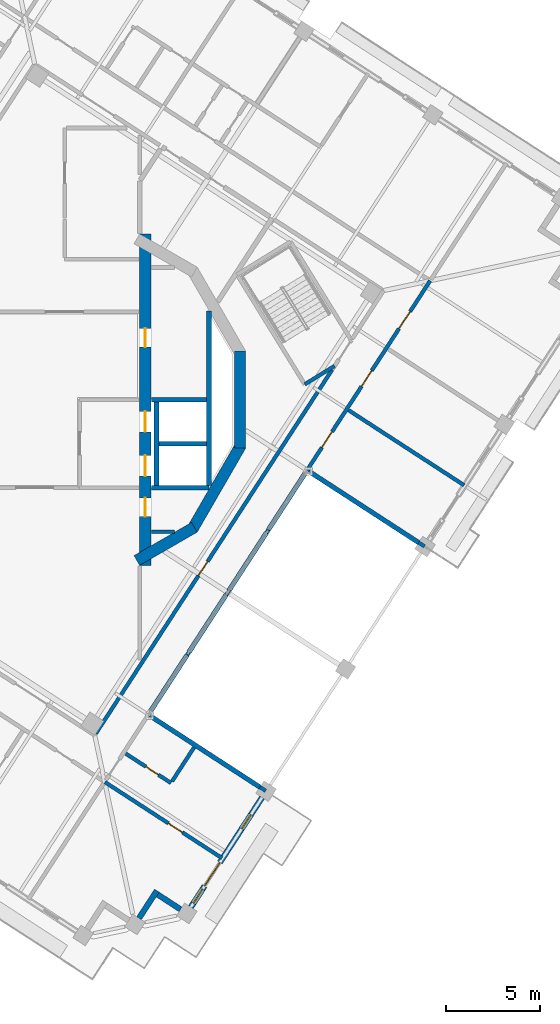
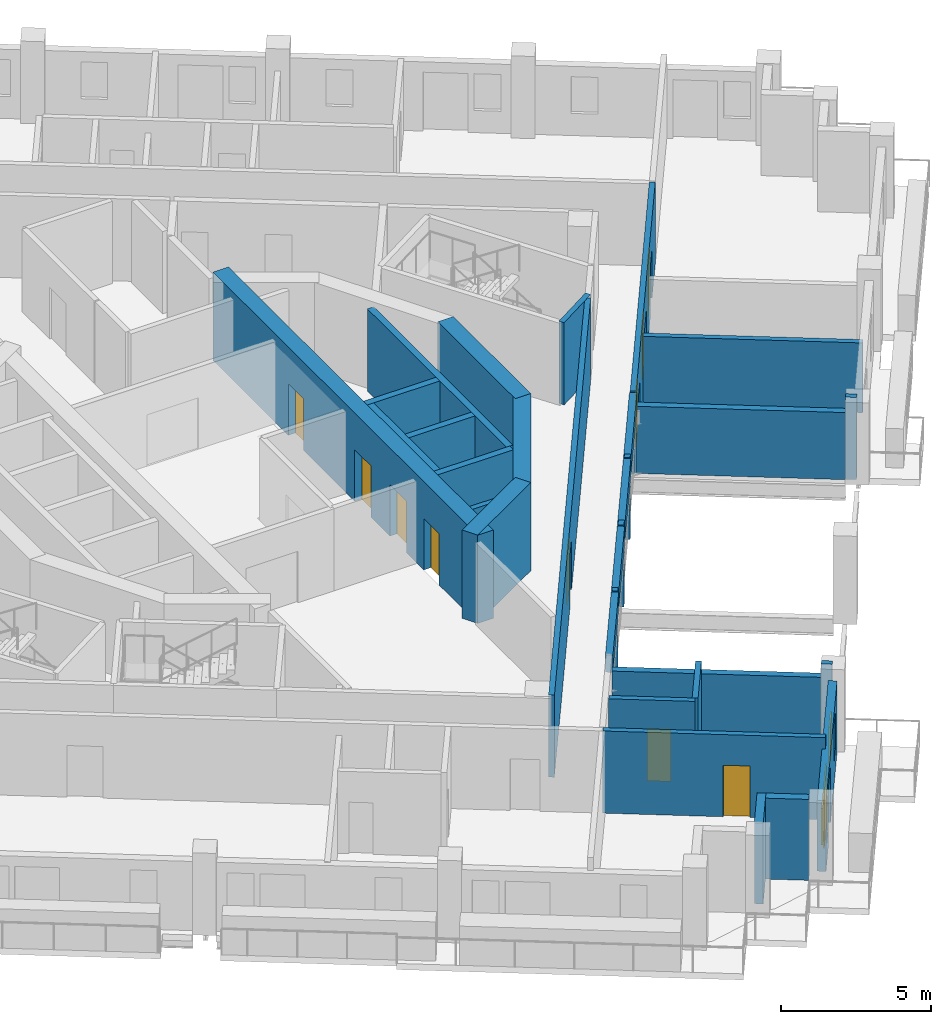
# One storey, part 7 of 17: 31 walls, 11 doors, 2 windows, 13 openings.
"""IFC4 building model written with IfcOpenShell, lengths in metres."""

from ifc_helpers import new_model, si_unit, direction, frame, frame_2d, origin, place, context, subcontext, project, spatial, rectangle, extrude, material, layer, layer_set, type_object, element, fill, save


model = new_model("IFC4")

# Units and contexts
model_context = context("Model", 3, precision=1e-05, world=origin(), true_north=direction((0.0, 1.0)))
body_context = subcontext(model_context, "Body", "Model", "MODEL_VIEW")
ifc_project = project(units=[si_unit("LENGTHUNIT", "METRE"), si_unit("AREAUNIT", "SQUARE_METRE"), si_unit("VOLUMEUNIT", "CUBIC_METRE"), si_unit("PLANEANGLEUNIT", "RADIAN"), si_unit("MASSUNIT", "GRAM", prefix="KILO")], contexts=[model_context])

# Site, building, storey
site_placement = place(None, origin())
site = spatial("IfcSite", under=ifc_project, at=site_placement, CompositionType="ELEMENT")
building_placement = place(site_placement, origin())
building = spatial("IfcBuilding", under=site, at=building_placement, Name="Cantera Rosa Tower", CompositionType="ELEMENT")
storey_placement = place(building_placement, frame((0.0, 0.0, 257.699951171875)))
storey = spatial("IfcBuildingStorey", under=building, at=storey_placement, Name="L57", CompositionType="ELEMENT", Elevation=257.699951171875)

# Wall, opening, door
ifc_material_1 = material(Name="Gypsum board partition")
ifc_layer_1 = layer(ifc_material_1, 0.199951171875)
ifc_layer_set_1 = layer_set([ifc_layer_1], Name="CORRIDOR WALL 200 H3350")
wall_type_1 = type_object("IfcWallType", Name="CORRIDOR WALL 200 H3350", PredefinedType="PARTITIONING", material=ifc_layer_set_1)
wall_1_placement = place(storey_placement, frame((1.656982421875, -17.828857421875, 0.0), z_axis=(0.0, 0.0, 1.0), x_axis=(0.544640309195, 0.838669740482, 0.0)))
wall_1 = element("IfcWall", 1, at=wall_1_placement, inside=storey, type_object=wall_type_1, Name="CORRIDOR WALL L57-057", PredefinedType="PARTITIONING", context=body_context, shape_type="SweptSolid", body=[
    extrude(rectangle(XDim=23.1552734375, YDim=0.199951171875, at=frame_2d((11.57763671875, 0.0))), origin(), (0.0, 0.0, 1.0), 3.35009765625),
])
opening_1_placement = place(wall_1_placement, frame((10.060791015625, 0.0, 0.0)))
opening_1 = element("IfcOpeningElement", 2, at=opening_1_placement, cuts=wall_1, Name="Opening L57-006", PredefinedType="OPENING", context=body_context, shape_type="SweptSolid", body=[
    extrude(rectangle(XDim=0.89990234375, YDim=2.10009765625, at=frame_2d((0.449951171875, 1.050048828125))), frame((0.0, 0.10986328125, 0.0), z_axis=(0.0, -1.0, 0.0), x_axis=(1.0, 0.0, 0.0)), (0.0, 0.0, 1.0), 0.219970703125),
])
ifc_material_2 = material(Name="Timber door leaf", Category="wood")
door_type_1 = type_object("IfcDoorType", Name="SERVICE DOOR 900x2100", OperationType="NOTDEFINED", PredefinedType="DOOR", material=ifc_material_2)
door_1_placement = place(opening_1_placement, origin())
door_1 = element("IfcDoor", 3, at=door_1_placement, inside=storey, type_object=door_type_1, Name="DOOR L57-006", OperationType="NOTDEFINED", OverallHeight=2.10009765625, OverallWidth=0.89990234375, PredefinedType="DOOR", context=body_context, shape_type="SweptSolid", body=[
    extrude(rectangle(XDim=0.89990234375, YDim=2.10009765625, at=frame_2d((0.449951171875, 1.050048828125))), frame((0.0, 0.02490234375, 0.0), z_axis=(0.0, -1.0, 0.0), x_axis=(1.0, 0.0, 0.0)), (0.0, 0.0, 1.0), 0.050048828125),
])
fill(opening_1, door_1)

# Walls
wall_2_placement = place(storey_placement, frame((6.52880859375, -13.632080078125, 0.0), z_axis=(0.0, 0.0, 1.0), x_axis=(0.544502051032, 0.838759510481, 0.0)))
element("IfcWall", 4, at=wall_2_placement, inside=storey, type_object=wall_type_1, Name="CORRIDOR WALL L57-060", PredefinedType="PARTITIONING", context=body_context, shape_type="SweptSolid", body=[
    extrude(rectangle(XDim=0.194091796875, YDim=0.199951171875, at=frame_2d((0.09716796875, 0.0))), origin(), (0.0, 0.0, 1.0), 3.35009765625),
])
wall_3_placement = place(storey_placement, frame((8.6201171875, -10.41162109375, 0.0), z_axis=(0.0, 0.0, 1.0), x_axis=(0.5446964617, 0.838633271825, 0.0)))
element("IfcWall", 5, at=wall_3_placement, inside=storey, type_object=wall_type_1, Name="CORRIDOR WALL L57-061", PredefinedType="PARTITIONING", context=body_context, shape_type="SweptSolid", body=[
    extrude(rectangle(XDim=0.2939453125, YDim=0.199951171875, at=frame_2d((0.14697265625, 0.0))), origin(), (0.0, 0.0, 1.0), 3.35009765625),
])
wall_4_placement = place(storey_placement, frame((10.76611328125, -7.107177734375, 0.0), z_axis=(0.0, 0.0, 1.0), x_axis=(0.544191105099, 0.838961287028, 0.0)))
element("IfcWall", 6, at=wall_4_placement, inside=storey, type_object=wall_type_1, Name="CORRIDOR WALL L57-062", PredefinedType="PARTITIONING", context=body_context, shape_type="SweptSolid", body=[
    extrude(rectangle(XDim=0.19384765625, YDim=0.199951171875, at=frame_2d((0.096923828125, 0.0))), origin(), (0.0, 0.0, 1.0), 3.35009765625),
])

# Wall, openings, doors
wall_5_placement = place(storey_placement, frame((12.869384765625, -3.8681640625, 0.0), z_axis=(0.0, 0.0, 1.0), x_axis=(0.544640401501, 0.838669680537, 0.0)))
wall_5 = element("IfcWall", 7, at=wall_5_placement, inside=storey, type_object=wall_type_1, Name="CORRIDOR WALL L57-063", PredefinedType="PARTITIONING", context=body_context, shape_type="SweptSolid", body=[
    extrude(rectangle(XDim=12.18505859375, YDim=0.199951171875, at=frame_2d((6.092529296875, 0.0))), origin(), (0.0, 0.0, 1.0), 3.35009765625),
])
opening_2_placement = place(wall_5_placement, frame((1.570068359375, 0.0, 0.0)))
opening_2 = element("IfcOpeningElement", 8, at=opening_2_placement, cuts=wall_5, Name="Opening L57-041", PredefinedType="OPENING", context=body_context, shape_type="SweptSolid", body=[
    extrude(rectangle(XDim=1.0, YDim=2.10009765625, at=frame_2d((0.5, 1.050048828125))), frame((0.0, 0.10986328125, 0.0), z_axis=(0.0, -1.0, 0.0), x_axis=(1.0, 0.0, 0.0)), (0.0, 0.0, 1.0), 0.219970703125),
])
opening_3_placement = place(wall_5_placement, frame((5.4599609375, 0.0, 0.0)))
opening_3 = element("IfcOpeningElement", 9, at=opening_3_placement, cuts=wall_5, Name="Opening L57-042", PredefinedType="OPENING", context=body_context, shape_type="SweptSolid", body=[
    extrude(rectangle(XDim=1.0, YDim=2.10009765625, at=frame_2d((0.5, 1.050048828125))), frame((0.0, 0.10986328125, 0.0), z_axis=(0.0, -1.0, 0.0), x_axis=(1.0, 0.0, 0.0)), (0.0, 0.0, 1.0), 0.219970703125),
])
opening_4_placement = place(wall_5_placement, frame((9.135009765625, 0.0, 0.0)))
opening_4 = element("IfcOpeningElement", 10, at=opening_4_placement, cuts=wall_5, Name="Opening L57-046", PredefinedType="OPENING", context=body_context, shape_type="SweptSolid", body=[
    extrude(rectangle(XDim=1.10009765625, YDim=2.10009765625, at=frame_2d((0.550048828125, 1.050048828125))), frame((0.0, 0.10986328125, 0.0), z_axis=(0.0, -1.0, 0.0), x_axis=(1.0, 0.0, 0.0)), (0.0, 0.0, 1.0), 0.219970703125),
])
ifc_material_3 = material(Name="Timber door leaf", Category="wood")
door_type_2 = type_object("IfcDoorType", Name="ROOM DOOR 1000x2100", OperationType="NOTDEFINED", PredefinedType="DOOR", material=ifc_material_3)
door_2_placement = place(opening_2_placement, origin())
door_2 = element("IfcDoor", 11, at=door_2_placement, inside=storey, type_object=door_type_2, Name="DOOR L57-041", OperationType="NOTDEFINED", OverallHeight=2.10009765625, OverallWidth=1.0, PredefinedType="DOOR", context=body_context, shape_type="SweptSolid", body=[
    extrude(rectangle(XDim=1.0, YDim=2.10009765625, at=frame_2d((0.5, 1.050048828125))), frame((0.0, 0.02490234375, 0.0), z_axis=(0.0, -1.0, 0.0), x_axis=(1.0, 0.0, 0.0)), (0.0, 0.0, 1.0), 0.050048828125),
])
fill(opening_2, door_2)
door_3_placement = place(opening_3_placement, origin())
door_3 = element("IfcDoor", 12, at=door_3_placement, inside=storey, type_object=door_type_2, Name="DOOR L57-042", OperationType="NOTDEFINED", OverallHeight=2.10009765625, OverallWidth=1.0, PredefinedType="DOOR", context=body_context, shape_type="SweptSolid", body=[
    extrude(rectangle(XDim=1.0, YDim=2.10009765625, at=frame_2d((0.5, 1.050048828125))), frame((0.0, 0.02490234375, 0.0), z_axis=(0.0, -1.0, 0.0), x_axis=(1.0, 0.0, 0.0)), (0.0, 0.0, 1.0), 0.050048828125),
])
fill(opening_3, door_3)
ifc_material_4 = material(Name="Timber door leaf", Category="wood")
door_type_3 = type_object("IfcDoorType", Name="ROOM DOOR 1100x2100", OperationType="NOTDEFINED", PredefinedType="DOOR", material=ifc_material_4)
door_4_placement = place(opening_4_placement, origin())
door_4 = element("IfcDoor", 13, at=door_4_placement, inside=storey, type_object=door_type_3, Name="DOOR L57-046", OperationType="NOTDEFINED", OverallHeight=2.10009765625, OverallWidth=1.10009765625, PredefinedType="DOOR", context=body_context, shape_type="SweptSolid", body=[
    extrude(rectangle(XDim=1.10009765625, YDim=2.10009765625, at=frame_2d((0.550048828125, 1.050048828125))), frame((0.0, 0.02490234375, 0.0), z_axis=(0.0, -1.0, 0.0), x_axis=(1.0, 0.0, 0.0)), (0.0, 0.0, 1.0), 0.050048828125),
])
fill(opening_4, door_4)

# Walls
ifc_material_5 = material(Name="Hollow clay masonry with cantera stone cladding", Category="masonry")
ifc_layer_2 = layer(ifc_material_5, 0.300048828125)
ifc_layer_set_2 = layer_set([ifc_layer_2], Name="EW-LOGGIA 300")
wall_type_2 = type_object("IfcWallType", Name="EW-LOGGIA 300", PredefinedType="SOLIDWALL", material=ifc_layer_set_2)
wall_6_placement = place(storey_placement, frame((3.966796875, -27.67529296875, 0.0), z_axis=(0.0, 0.0, 1.0), x_axis=(0.544679362749, 0.83864437743, 0.0)))
element("IfcWall", 14, at=wall_6_placement, inside=storey, type_object=wall_type_2, Name="EN-L57-W19a", PredefinedType="SOLIDWALL", context=body_context, shape_type="SweptSolid", body=[
    extrude(rectangle(XDim=1.75, YDim=0.300048828125, at=frame_2d((0.875, 0.0))), origin(), (0.0, 0.0, 1.0), 3.300048828125),
])
wall_7_placement = place(storey_placement, frame((4.964111328125, -26.415283203125, 0.0), z_axis=(0.0, 0.0, 1.0), x_axis=(0.838724343483, -0.544556218997, 0.0)))
element("IfcWall", 15, at=wall_7_placement, inside=storey, type_object=wall_type_2, Name="EN-L57-W19b", PredefinedType="SOLIDWALL", context=body_context, shape_type="SweptSolid", body=[
    extrude(rectangle(XDim=1.449951171875, YDim=0.300048828125, at=frame_2d((0.72509765625, 0.0))), origin(), (0.0, 0.0, 1.0), 3.300048828125),
])

# Wall, openings, windows, door
ifc_material_6 = material(Name="Hollow clay masonry with cantera stone cladding", Category="masonry")
ifc_layer_3 = layer(ifc_material_6, 0.300048828125)
ifc_layer_set_3 = layer_set([ifc_layer_3], Name="EW-LOGGIA 300 H2890")
wall_type_3 = type_object("IfcWallType", Name="EW-LOGGIA 300 H2890", PredefinedType="SOLIDWALL", material=ifc_layer_set_3)
wall_8_placement = place(storey_placement, frame((6.7333984375, -27.08740234375, 0.0), z_axis=(0.0, 0.0, 1.0), x_axis=(0.544651451949, 0.838662504164, 0.0)))
wall_8 = element("IfcWall", 16, at=wall_8_placement, inside=storey, type_object=wall_type_3, Name="EN-L57-W20", PredefinedType="SOLIDWALL", context=body_context, shape_type="SweptSolid", body=[
    extrude(rectangle(XDim=6.980224609375, YDim=0.300048828125, at=frame_2d((3.490234375, 0.0))), origin(), (0.0, 0.0, 1.0), 2.89013671875),
])
opening_5_placement = place(wall_8_placement, frame((0.2451171875, 0.0, 0.89990234375)))
opening_5 = element("IfcOpeningElement", 17, at=opening_5_placement, cuts=wall_8, Name="Opening L57-W40", PredefinedType="OPENING", context=body_context, shape_type="SweptSolid", body=[
    extrude(rectangle(XDim=0.89990234375, YDim=1.5, at=frame_2d((0.449951171875, 0.75))), frame((0.0, 0.159912109375, 0.0), z_axis=(0.0, -1.0, 0.0), x_axis=(1.0, 0.0, 0.0)), (0.0, 0.0, 1.0), 0.320068359375),
])
opening_6_placement = place(wall_8_placement, frame((1.344970703125, 0.0, 0.0)))
opening_6 = element("IfcOpeningElement", 18, at=opening_6_placement, cuts=wall_8, Name="Opening L57-TD41", PredefinedType="OPENING", context=body_context, shape_type="SweptSolid", body=[
    extrude(rectangle(XDim=1.5, YDim=2.39990234375, at=frame_2d((0.75, 1.199951171875))), frame((0.0, 0.159912109375, 0.0), z_axis=(0.0, -1.0, 0.0), x_axis=(1.0, 0.0, 0.0)), (0.0, 0.0, 1.0), 0.320068359375),
])
opening_7_placement = place(wall_8_placement, frame((4.985107421875, 0.0, 0.89990234375)))
opening_7 = element("IfcOpeningElement", 19, at=opening_7_placement, cuts=wall_8, Name="Opening L57-W42", PredefinedType="OPENING", context=body_context, shape_type="SweptSolid", body=[
    extrude(rectangle(XDim=0.89990234375, YDim=1.5, at=frame_2d((0.449951171875, 0.75))), frame((0.0, 0.159912109375, 0.0), z_axis=(0.0, -1.0, 0.0), x_axis=(1.0, 0.0, 0.0)), (0.0, 0.0, 1.0), 0.320068359375),
])
ifc_material_7 = material(Name="Aluminium frame with clear glass", Category="aluminium")
window_type = type_object("IfcWindowType", Name="Residential window 900x1500", PartitioningType="SINGLE_PANEL", PredefinedType="WINDOW", material=ifc_material_7)
window_1_placement = place(opening_5_placement, origin())
window_1 = element("IfcWindow", 20, at=window_1_placement, inside=storey, type_object=window_type, Name="WINDOW L57-W40", OverallHeight=1.5, OverallWidth=0.89990234375, PartitioningType="SINGLE_PANEL", PredefinedType="WINDOW", context=body_context, shape_type="SweptSolid", body=[
    extrude(rectangle(XDim=0.89990234375, YDim=1.5, at=frame_2d((0.449951171875, 0.75))), frame((0.0, 0.030029296875, 0.0), z_axis=(0.0, -1.0, 0.0), x_axis=(1.0, 0.0, 0.0)), (0.0, 0.0, 1.0), 0.06005859375),
])
fill(opening_5, window_1)
window_2_placement = place(opening_7_placement, origin())
window_2 = element("IfcWindow", 21, at=window_2_placement, inside=storey, type_object=window_type, Name="WINDOW L57-W42", OverallHeight=1.5, OverallWidth=0.89990234375, PartitioningType="SINGLE_PANEL", PredefinedType="WINDOW", context=body_context, shape_type="SweptSolid", body=[
    extrude(rectangle(XDim=0.89990234375, YDim=1.5, at=frame_2d((0.449951171875, 0.75))), frame((0.0, 0.030029296875, 0.0), z_axis=(0.0, -1.0, 0.0), x_axis=(1.0, 0.0, 0.0)), (0.0, 0.0, 1.0), 0.06005859375),
])
fill(opening_7, window_2)
ifc_material_8 = material(Name="Aluminium frame with clear glass", Category="aluminium")
door_type_4 = type_object("IfcDoorType", Name="TD-R 1500x2400", OperationType="NOTDEFINED", PredefinedType="DOOR", material=ifc_material_8)
door_5_placement = place(opening_6_placement, origin())
door_5 = element("IfcDoor", 22, at=door_5_placement, inside=storey, type_object=door_type_4, Name="LOGGIA DOOR L57-TD41", OperationType="SLIDING_TO_LEFT", OverallHeight=2.39990234375, OverallWidth=1.5, PredefinedType="DOOR", context=body_context, shape_type="SweptSolid", body=[
    extrude(rectangle(XDim=1.5, YDim=2.39990234375, at=frame_2d((0.75, 1.199951171875))), frame((0.0, 0.02490234375, 0.0), z_axis=(0.0, -1.0, 0.0), x_axis=(1.0, 0.0, 0.0)), (0.0, 0.0, 1.0), 0.050048828125),
])
fill(opening_6, door_5)

# Walls
ifc_material_9 = material(Name="Concrete C40/50", Category="concrete")
ifc_layer_4 = layer(ifc_material_9, 0.25)
ifc_layer_set_4 = layer_set([ifc_layer_4], Name="EW-POCKET CHEEK 250 H2735")
wall_type_4 = type_object("IfcWallType", Name="EW-POCKET CHEEK 250 H2735", PredefinedType="SOLIDWALL", material=ifc_layer_set_4)
wall_9_placement = place(storey_placement, frame((18.89208984375, -7.63037109375, 0.0), z_axis=(0.0, 0.0, 1.0), x_axis=(-0.838665071449, 0.544647498784, 0.0)))
element("IfcWall", 23, at=wall_9_placement, inside=storey, type_object=wall_type_4, Name="POCKET CHEEK B L57", PredefinedType="SOLIDWALL", context=body_context, shape_type="SweptSolid", body=[
    extrude(rectangle(XDim=7.0, YDim=0.25, at=frame_2d((3.5, 0.0))), origin(), (0.0, 0.0, 1.0), 2.735107421875),
])
ifc_material_10 = material(Name="Concrete C40/50", Category="concrete")
ifc_layer_5 = layer(ifc_material_10, 0.25)
ifc_layer_set_5 = layer_set([ifc_layer_5], Name="EW-POCKET CHEEK 250 H2820")
wall_type_5 = type_object("IfcWallType", Name="EW-POCKET CHEEK 250 H2820", PredefinedType="SOLIDWALL", material=ifc_layer_set_5)
wall_10_placement = place(storey_placement, frame((10.41748046875, -20.68017578125, 0.0), z_axis=(0.0, 0.0, 1.0), x_axis=(-0.838665071449, 0.544647498784, 0.0)))
element("IfcWall", 24, at=wall_10_placement, inside=storey, type_object=wall_type_5, Name="POCKET CHEEK A L57", PredefinedType="SOLIDWALL", context=body_context, shape_type="SweptSolid", body=[
    extrude(rectangle(XDim=7.0, YDim=0.25, at=frame_2d((3.5, 0.0))), origin(), (0.0, 0.0, 1.0), 2.820068359375),
])
ifc_material_11 = material(Name="Hollow clay masonry with cantera stone cladding", Category="masonry")
ifc_layer_6 = layer(ifc_material_11, 0.25)
ifc_layer_set_6 = layer_set([ifc_layer_6], Name="EW-POCKET REAR 250")
wall_type_6 = type_object("IfcWallType", Name="EW-POCKET REAR 250", PredefinedType="SOLIDWALL", material=ifc_layer_set_6)
wall_11_placement = place(storey_placement, frame((4.531005859375, -16.708251953125, 2.592041015625), z_axis=(0.0, 0.0, 1.0), x_axis=(0.544660772807, 0.838656450858, 0.0)))
element("IfcWall", 25, at=wall_11_placement, inside=storey, type_object=wall_type_6, Name="POCKET SPANDREL L57-1", PredefinedType="SOLIDWALL", context=body_context, shape_type="SweptSolid", body=[
    extrude(rectangle(XDim=3.66796875, YDim=0.25, at=frame_2d((1.833984375, 0.0))), origin(), (0.0, 0.0, 1.0), 0.7080078125),
])
for number, where, z_axis, x_axis, name in (
    (26, (6.63427734375, -13.46923828125, 2.592041015625), (0.0, 0.0, 1.0), (0.544677623357, 0.838645507121, 0.0), "POCKET SPANDREL L57-2"),
    (27, (8.7802734375, -10.1650390625, 2.592041015625), (0.0, 0.0, 1.0), (0.544647036554, 0.838665371631, 0.0), "POCKET SPANDREL L57-3"),
):
    element("IfcWall", number, at=place(storey_placement, frame(where, z_axis=z_axis, x_axis=x_axis)), inside=storey, type_object=wall_type_6, Name=name, PredefinedType="SOLIDWALL", context=body_context, shape_type="SweptSolid", body=[
        extrude(rectangle(XDim=3.64599609375, YDim=0.25, at=frame_2d((1.822998046875, 0.0))), origin(), (0.0, 0.0, 1.0), 0.7080078125),
    ])
wall_12_placement = place(storey_placement, frame((10.87158203125, -6.944580078125, 2.592041015625), z_axis=(0.0, 0.0, 1.0), x_axis=(0.544630370635, 0.838676194596, 0.0)))
element("IfcWall", 28, at=wall_12_placement, inside=storey, type_object=wall_type_6, Name="POCKET SPANDREL L57-4", PredefinedType="SOLIDWALL", context=body_context, shape_type="SweptSolid", body=[
    extrude(rectangle(XDim=3.668212890625, YDim=0.25, at=frame_2d((1.833984375, 0.0))), origin(), (0.0, 0.0, 1.0), 0.7080078125),
])
ifc_material_12 = material(Name="Gypsum board partition")
ifc_layer_7 = layer(ifc_material_12, 0.199951171875)
ifc_layer_set_7 = layer_set([ifc_layer_7], Name="PARTITION 200 H2850")
wall_type_7 = type_object("IfcWallType", Name="PARTITION 200 H2850", PredefinedType="PARTITIONING", material=ifc_layer_set_7)
wall_13_placement = place(storey_placement, frame((15.15673828125, -0.56640625, 0.0), z_axis=(0.0, 0.0, 1.0), x_axis=(0.838684106336, -0.544618187155, 0.0)))
element("IfcWall", 29, at=wall_13_placement, inside=storey, type_object=wall_type_7, Name="PARTITION L57-095", PredefinedType="PARTITIONING", context=body_context, shape_type="SweptSolid", body=[
    extrude(rectangle(XDim=7.349853515625, YDim=0.199951171875, at=frame_2d((3.6748046875, 0.0))), origin(), (0.0, 0.0, 1.0), 2.85009765625),
])

# Wall, opening, door
ifc_material_13 = material(Name="Gypsum board partition")
ifc_layer_8 = layer(ifc_material_13, 0.199951171875)
ifc_layer_set_8 = layer_set([ifc_layer_8], Name="PARTITION 200 H3350")
wall_type_8 = type_object("IfcWallType", Name="PARTITION 200 H3350", PredefinedType="PARTITIONING", material=ifc_layer_set_8)
wall_14_placement = place(storey_placement, frame((2.148681640625, -20.41357421875, 0.0), z_axis=(0.0, 0.0, 1.0), x_axis=(0.83866516607, -0.544647353083, 0.0)))
wall_14 = element("IfcWall", 30, at=wall_14_placement, inside=storey, type_object=wall_type_8, Name="PARTITION L57-058", PredefinedType="PARTITIONING", context=body_context, shape_type="SweptSolid", body=[
    extrude(rectangle(XDim=7.449951171875, YDim=0.199951171875, at=frame_2d((3.72509765625, 0.0))), origin(), (0.0, 0.0, 1.0), 3.35009765625),
])
opening_8_placement = place(wall_14_placement, frame((4.030029296875, 0.0, 0.0)))
opening_8 = element("IfcOpeningElement", 31, at=opening_8_placement, cuts=wall_14, Name="Opening L57-045", PredefinedType="OPENING", context=body_context, shape_type="SweptSolid", body=[
    extrude(rectangle(XDim=0.89990234375, YDim=2.10009765625, at=frame_2d((0.449951171875, 1.050048828125))), frame((0.0, 0.10986328125, 0.0), z_axis=(0.0, -1.0, 0.0), x_axis=(1.0, 0.0, 0.0)), (0.0, 0.0, 1.0), 0.219970703125),
])
ifc_material_14 = material(Name="Timber door leaf", Category="wood")
door_type_5 = type_object("IfcDoorType", Name="ROOM DOOR 900x2100", OperationType="NOTDEFINED", PredefinedType="DOOR", material=ifc_material_14)
door_6_placement = place(opening_8_placement, origin())
door_6 = element("IfcDoor", 32, at=door_6_placement, inside=storey, type_object=door_type_5, Name="DOOR L57-045", OperationType="NOTDEFINED", OverallHeight=2.10009765625, OverallWidth=0.89990234375, PredefinedType="DOOR", context=body_context, shape_type="SweptSolid", body=[
    extrude(rectangle(XDim=0.89990234375, YDim=2.10009765625, at=frame_2d((0.449951171875, 1.050048828125))), frame((0.0, 0.02490234375, 0.0), z_axis=(0.0, -1.0, 0.0), x_axis=(1.0, 0.0, 0.0)), (0.0, 0.0, 1.0), 0.050048828125),
])
fill(opening_8, door_6)

# Wall
wall_15_placement = place(storey_placement, frame((10.41748046875, -20.68017578125, 0.0), z_axis=(0.0, 0.0, 1.0), x_axis=(0.838790236691, -0.544454716971, 0.0)))
element("IfcWall", 33, at=wall_15_placement, inside=storey, type_object=wall_type_8, Name="PARTITION L57-073", PredefinedType="PARTITIONING", context=body_context, shape_type="SweptSolid", body=[
    extrude(rectangle(XDim=0.369873046875, YDim=0.199951171875, at=frame_2d((0.18505859375, 0.0))), origin(), (0.0, 0.0, 1.0), 3.35009765625),
])

# Wall, opening, door
wall_16_placement = place(storey_placement, frame((5.671875, -20.4599609375, 0.0), z_axis=(0.0, 0.0, 1.0), x_axis=(-0.838679811106, 0.544624801532, 0.0)))
wall_16 = element("IfcWall", 34, at=wall_16_placement, inside=storey, type_object=wall_type_8, Name="PARTITION L57-079", PredefinedType="PARTITIONING", context=body_context, shape_type="SweptSolid", body=[
    extrude(rectangle(XDim=2.880126953125, YDim=0.199951171875, at=frame_2d((1.43994140625, 0.0))), origin(), (0.0, 0.0, 1.0), 3.35009765625),
])
opening_9_placement = place(wall_16_placement, frame((0.800048828125, 0.0, 0.0)))
opening_9 = element("IfcOpeningElement", 35, at=opening_9_placement, cuts=wall_16, Name="Opening L57-044", PredefinedType="OPENING", context=body_context, shape_type="SweptSolid", body=[
    extrude(rectangle(XDim=0.800048828125, YDim=2.10009765625, at=frame_2d((0.39990234375, 1.050048828125))), frame((0.0, 0.10986328125, 0.0), z_axis=(0.0, -1.0, 0.0), x_axis=(1.0, 0.0, 0.0)), (0.0, 0.0, 1.0), 0.219970703125),
])
ifc_material_15 = material(Name="Timber door leaf", Category="wood")
door_type_6 = type_object("IfcDoorType", Name="BATHROOM DOOR 800x2100", OperationType="NOTDEFINED", PredefinedType="DOOR", material=ifc_material_15)
door_7_placement = place(opening_9_placement, origin())
door_7 = element("IfcDoor", 36, at=door_7_placement, inside=storey, type_object=door_type_6, Name="DOOR L57-044", OperationType="NOTDEFINED", OverallHeight=2.10009765625, OverallWidth=0.800048828125, PredefinedType="DOOR", context=body_context, shape_type="SweptSolid", body=[
    extrude(rectangle(XDim=0.800048828125, YDim=2.10009765625, at=frame_2d((0.39990234375, 1.050048828125))), frame((0.0, 0.02490234375, 0.0), z_axis=(0.0, -1.0, 0.0), x_axis=(1.0, 0.0, 0.0)), (0.0, 0.0, 1.0), 0.050048828125),
])
fill(opening_9, door_7)

# Walls
wall_17_placement = place(storey_placement, frame((5.84765625, -7.050048828125, 0.0), z_axis=(0.0, 0.0, 1.0), x_axis=(-1.0, 0.0, 0.0)))
element("IfcWall", 37, at=wall_17_placement, inside=storey, type_object=wall_type_8, Name="PARTITION L57-080", PredefinedType="PARTITIONING", context=body_context, shape_type="SweptSolid", body=[
    extrude(rectangle(XDim=1.2177734375, YDim=0.199951171875, at=frame_2d((0.60888671875, 0.0))), origin(), (0.0, 0.0, 1.0), 3.35009765625),
])
wall_18_placement = place(storey_placement, frame((6.905517578125, -18.560302734375, 0.0), z_axis=(0.0, 0.0, 1.0), x_axis=(-0.544667250138, -0.838652244156, 0.0)))
element("IfcWall", 38, at=wall_18_placement, inside=storey, type_object=wall_type_8, Name="PARTITION L57-081", PredefinedType="PARTITIONING", context=body_context, shape_type="SweptSolid", body=[
    extrude(rectangle(XDim=2.1650390625, YDim=0.199951171875, at=frame_2d((1.08251953125, 0.0))), origin(), (0.0, 0.0, 1.0), 3.35009765625),
])
wall_19_placement = place(storey_placement, frame((19.202392578125, -7.831787109375, 0.0), z_axis=(0.0, 0.0, 1.0), x_axis=(-0.838790236691, 0.544454716971, 0.0)))
element("IfcWall", 39, at=wall_19_placement, inside=storey, type_object=wall_type_8, Name="PARTITION L57-100", PredefinedType="PARTITIONING", context=body_context, shape_type="SweptSolid", body=[
    extrude(rectangle(XDim=0.369873046875, YDim=0.199951171875, at=frame_2d((0.18505859375, 0.0))), origin(), (0.0, 0.0, 1.0), 3.35009765625),
])
ifc_material_16 = material(Name="Concrete C50/60", Category="concrete")
ifc_layer_9 = layer(ifc_material_16, 0.60009765625)
ifc_layer_set_9 = layer_set([ifc_layer_9], Name="RC CORE WALL 600 C50/60")
wall_type_9 = type_object("IfcWallType", Name="RC CORE WALL 600 C50/60", PredefinedType="SHEAR", material=ifc_layer_set_9)
for number, where, z_axis, x_axis, name in (
    (40, (9.359375, 2.588134765625, 0.0), (0.0, 0.0, 1.0), (0.0, -1.0, 0.0), "CW-E3 L57"),
    (41, (9.3994140625, -2.438232421875, 0.0), (0.0, 0.0, 1.0), (-0.499989188378, -0.866031645787, 0.0), "CW-E4 L57"),
):
    element("IfcWall", number, at=place(storey_placement, frame(where, z_axis=z_axis, x_axis=x_axis)), inside=storey, type_object=wall_type_9, Name=name, PredefinedType="SHEAR", context=body_context, shape_type="SweptSolid", body=[
        extrude(rectangle(XDim=5.17626953125, YDim=0.60009765625, at=frame_2d((2.588134765625, 0.0))), origin(), (0.0, 0.0, 1.0), 3.60009765625),
    ])
wall_20_placement = place(storey_placement, frame((6.921142578125, -6.811279296875, 0.0), z_axis=(0.0, 0.0, 1.0), x_axis=(-0.866039982607, -0.499974747889, 0.0)))
element("IfcWall", 42, at=wall_20_placement, inside=storey, type_object=wall_type_9, Name="CW-E5 L57", PredefinedType="SHEAR", context=body_context, shape_type="SweptSolid", body=[
    extrude(rectangle(XDim=3.546142578125, YDim=0.60009765625, at=frame_2d((1.77294921875, 0.0))), origin(), (0.0, 0.0, 1.0), 3.60009765625),
])

# Wall, openings, doors
wall_21_placement = place(storey_placement, frame((4.300048828125, -8.84423828125, 0.0), z_axis=(0.0, 0.0, 1.0), x_axis=(0.0, 1.0, 0.0)))
wall_21 = element("IfcWall", 43, at=wall_21_placement, inside=storey, type_object=wall_type_9, Name="CW-E6 L57", PredefinedType="SHEAR", context=body_context, shape_type="SweptSolid", body=[
    extrude(rectangle(XDim=17.6884765625, YDim=0.60009765625, at=frame_2d((8.84423828125, 0.0))), origin(), (0.0, 0.0, 1.0), 3.60009765625),
])
opening_10_placement = place(wall_21_placement, frame((4.76904296875, 0.0, 0.0)))
opening_10 = element("IfcOpeningElement", 44, at=opening_10_placement, cuts=wall_21, Name="Opening LD-FF1-L57", PredefinedType="OPENING", context=body_context, shape_type="SweptSolid", body=[
    extrude(rectangle(XDim=1.10009765625, YDim=2.10009765625, at=frame_2d((0.550048828125, 1.050048828125))), frame((0.0, 0.31005859375, 0.0), z_axis=(0.0, -1.0, 0.0), x_axis=(1.0, 0.0, 0.0)), (0.0, 0.0, 1.0), 0.6201171875),
])
opening_11_placement = place(wall_21_placement, frame((7.119140625, 0.0, 0.0)))
opening_11 = element("IfcOpeningElement", 45, at=opening_11_placement, cuts=wall_21, Name="Opening LD-FF2-L57", PredefinedType="OPENING", context=body_context, shape_type="SweptSolid", body=[
    extrude(rectangle(XDim=1.10009765625, YDim=2.10009765625, at=frame_2d((0.550048828125, 1.050048828125))), frame((0.0, 0.31005859375, 0.0), z_axis=(0.0, -1.0, 0.0), x_axis=(1.0, 0.0, 0.0)), (0.0, 0.0, 1.0), 0.6201171875),
])
opening_12_placement = place(wall_21_placement, frame((2.5966796875, 0.0, 0.0)))
opening_12 = element("IfcOpeningElement", 46, at=opening_12_placement, cuts=wall_21, Name="Opening SD-L57-17", PredefinedType="OPENING", context=body_context, shape_type="SweptSolid", body=[
    extrude(rectangle(XDim=1.0, YDim=2.10009765625, at=frame_2d((0.5, 1.050048828125))), frame((0.0, 0.31005859375, 0.0), z_axis=(0.0, -1.0, 0.0), x_axis=(1.0, 0.0, 0.0)), (0.0, 0.0, 1.0), 0.6201171875),
])
opening_13_placement = place(wall_21_placement, frame((11.6494140625, 0.0, 0.0)))
opening_13 = element("IfcOpeningElement", 47, at=opening_13_placement, cuts=wall_21, Name="Opening SD-L57-18", PredefinedType="OPENING", context=body_context, shape_type="SweptSolid", body=[
    extrude(rectangle(XDim=1.0, YDim=2.10009765625, at=frame_2d((0.5, 1.050048828125))), frame((0.0, 0.31005859375, 0.0), z_axis=(0.0, -1.0, 0.0), x_axis=(1.0, 0.0, 0.0)), (0.0, 0.0, 1.0), 0.6201171875),
])
ifc_material_17 = material(Name="Steel S355J2 (EN 10025-2)", Category="steel")
door_type_7 = type_object("IfcDoorType", Name="LANDING DOOR 1100x2100", OperationType="NOTDEFINED", PredefinedType="DOOR", material=ifc_material_17)
door_8_placement = place(opening_10_placement, origin())
door_8 = element("IfcDoor", 48, at=door_8_placement, inside=storey, type_object=door_type_7, Name="LANDING DOOR FF1 L57", OperationType="SLIDING_TO_LEFT", OverallHeight=2.10009765625, OverallWidth=1.10009765625, PredefinedType="DOOR", context=body_context, shape_type="SweptSolid", body=[
    extrude(rectangle(XDim=1.10009765625, YDim=2.10009765625, at=frame_2d((0.550048828125, 1.050048828125))), frame((0.0, 0.02490234375, 0.0), z_axis=(0.0, -1.0, 0.0), x_axis=(1.0, 0.0, 0.0)), (0.0, 0.0, 1.0), 0.050048828125),
])
fill(opening_10, door_8)
door_9_placement = place(opening_11_placement, origin())
door_9 = element("IfcDoor", 49, at=door_9_placement, inside=storey, type_object=door_type_7, Name="LANDING DOOR FF2 L57", OperationType="SLIDING_TO_LEFT", OverallHeight=2.10009765625, OverallWidth=1.10009765625, PredefinedType="DOOR", context=body_context, shape_type="SweptSolid", body=[
    extrude(rectangle(XDim=1.10009765625, YDim=2.10009765625, at=frame_2d((0.550048828125, 1.050048828125))), frame((0.0, 0.02490234375, 0.0), z_axis=(0.0, -1.0, 0.0), x_axis=(1.0, 0.0, 0.0)), (0.0, 0.0, 1.0), 0.050048828125),
])
fill(opening_11, door_9)
ifc_material_18 = material(Name="Timber door leaf", Category="wood")
door_type_8 = type_object("IfcDoorType", Name="SERVICE DOOR 1000x2100", OperationType="NOTDEFINED", PredefinedType="DOOR", material=ifc_material_18)
door_10_placement = place(opening_12_placement, origin())
door_10 = element("IfcDoor", 50, at=door_10_placement, inside=storey, type_object=door_type_8, Name="DOOR L57-SD17", OperationType="NOTDEFINED", OverallHeight=2.10009765625, OverallWidth=1.0, PredefinedType="DOOR", context=body_context, shape_type="SweptSolid", body=[
    extrude(rectangle(XDim=1.0, YDim=2.10009765625, at=frame_2d((0.5, 1.050048828125))), frame((0.0, 0.02490234375, 0.0), z_axis=(0.0, -1.0, 0.0), x_axis=(1.0, 0.0, 0.0)), (0.0, 0.0, 1.0), 0.050048828125),
])
fill(opening_12, door_10)
door_11_placement = place(opening_13_placement, origin())
door_11 = element("IfcDoor", 51, at=door_11_placement, inside=storey, type_object=door_type_8, Name="DOOR L57-SD18", OperationType="NOTDEFINED", OverallHeight=2.10009765625, OverallWidth=1.0, PredefinedType="DOOR", context=body_context, shape_type="SweptSolid", body=[
    extrude(rectangle(XDim=1.0, YDim=2.10009765625, at=frame_2d((0.5, 1.050048828125))), frame((0.0, 0.02490234375, 0.0), z_axis=(0.0, -1.0, 0.0), x_axis=(1.0, 0.0, 0.0)), (0.0, 0.0, 1.0), 0.050048828125),
])
fill(opening_13, door_11)

# Walls
ifc_material_19 = material(Name="Masonry blockwork", Category="masonry")
ifc_layer_10 = layer(ifc_material_19, 0.25)
ifc_layer_set_10 = layer_set([ifc_layer_10], Name="SHAFT WALL 250 H3350")
wall_type_10 = type_object("IfcWallType", Name="SHAFT WALL 250 H3350", PredefinedType="SOLIDWALL", material=ifc_layer_set_10)
wall_22_placement = place(storey_placement, frame((4.6298828125, 0.0, 0.0), z_axis=(0.0, 0.0, 1.0), x_axis=(1.0, 0.0, 0.0)))
element("IfcWall", 52, at=wall_22_placement, inside=storey, type_object=wall_type_10, Name="SHAFT WALL L57-074", PredefinedType="SOLIDWALL", context=body_context, shape_type="SweptSolid", body=[
    extrude(rectangle(XDim=2.945068359375, YDim=0.25, at=frame_2d((1.47265625, 0.0))), origin(), (0.0, 0.0, 1.0), 3.35009765625),
])
wall_23_placement = place(storey_placement, frame((4.89990234375, -0.125, 0.0), z_axis=(0.0, 0.0, 1.0), x_axis=(0.0, -1.0, 0.0)))
element("IfcWall", 53, at=wall_23_placement, inside=storey, type_object=wall_type_10, Name="SHAFT WALL L57-076", PredefinedType="SOLIDWALL", context=body_context, shape_type="SweptSolid", body=[
    extrude(rectangle(XDim=4.449951171875, YDim=0.25, at=frame_2d((2.22509765625, 0.0))), origin(), (0.0, 0.0, 1.0), 3.35009765625),
])
wall_24_placement = place(storey_placement, frame((7.699951171875, -4.699951171875, 0.0), z_axis=(0.0, 0.0, 1.0), x_axis=(-1.0, 0.0, 0.0)))
element("IfcWall", 54, at=wall_24_placement, inside=storey, type_object=wall_type_10, Name="SHAFT WALL L57-082", PredefinedType="SOLIDWALL", context=body_context, shape_type="SweptSolid", body=[
    extrude(rectangle(XDim=3.070068359375, YDim=0.25, at=frame_2d((1.53515625, 0.0))), origin(), (0.0, 0.0, 1.0), 3.35009765625),
])
wall_25_placement = place(storey_placement, frame((7.699951171875, -4.580078125, 0.0), z_axis=(0.0, 0.0, 1.0), x_axis=(0.0, 1.0, 0.0)))
element("IfcWall", 55, at=wall_25_placement, inside=storey, type_object=wall_type_10, Name="SHAFT WALL L57-083", PredefinedType="SOLIDWALL", context=body_context, shape_type="SweptSolid", body=[
    extrude(rectangle(XDim=9.3017578125, YDim=0.25, at=frame_2d((4.65087890625, 0.0))), origin(), (0.0, 0.0, 1.0), 3.35009765625),
])
wall_26_placement = place(storey_placement, frame((7.574951171875, -2.35009765625, 0.0), z_axis=(0.0, 0.0, 1.0), x_axis=(-1.0, 0.0, 0.0)))
element("IfcWall", 56, at=wall_26_placement, inside=storey, type_object=wall_type_10, Name="SHAFT WALL L57-084", PredefinedType="SOLIDWALL", context=body_context, shape_type="SweptSolid", body=[
    extrude(rectangle(XDim=2.554931640625, YDim=0.25, at=frame_2d((1.27734375, 0.0))), origin(), (0.0, 0.0, 1.0), 3.35009765625),
])
ifc_material_20 = material(Name="Concrete C50/60", Category="concrete")
ifc_layer_11 = layer(ifc_material_20, 0.199951171875)
ifc_layer_set_11 = layer_set([ifc_layer_11], Name="STAIR WALL 200 H3350")
wall_type_11 = type_object("IfcWallType", Name="STAIR WALL 200 H3350", PredefinedType="SOLIDWALL", material=ifc_layer_set_11)
wall_27_placement = place(storey_placement, frame((12.811279296875, 0.818359375, 0.0), z_axis=(0.0, 0.0, 1.0), x_axis=(0.851125244186, 0.524962683158, 0.0)))
element("IfcWall", 57, at=wall_27_placement, inside=storey, type_object=wall_type_11, Name="STAIR WALL L57-093", PredefinedType="SOLIDWALL", context=body_context, shape_type="SweptSolid", body=[
    extrude(rectangle(XDim=1.872802734375, YDim=0.199951171875, at=frame_2d((0.9365234375, 0.0))), origin(), (0.0, 0.0, 1.0), 3.35009765625),
])

save(model, "model.ifc")
